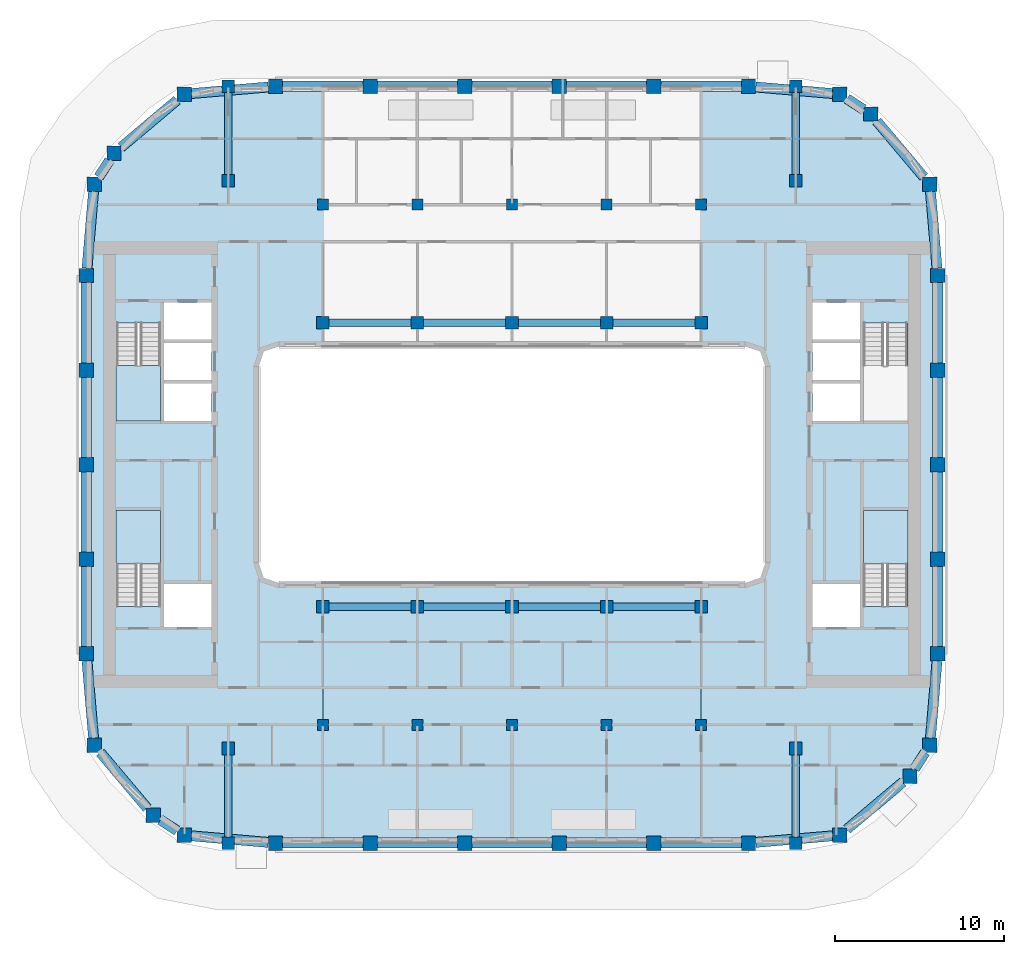
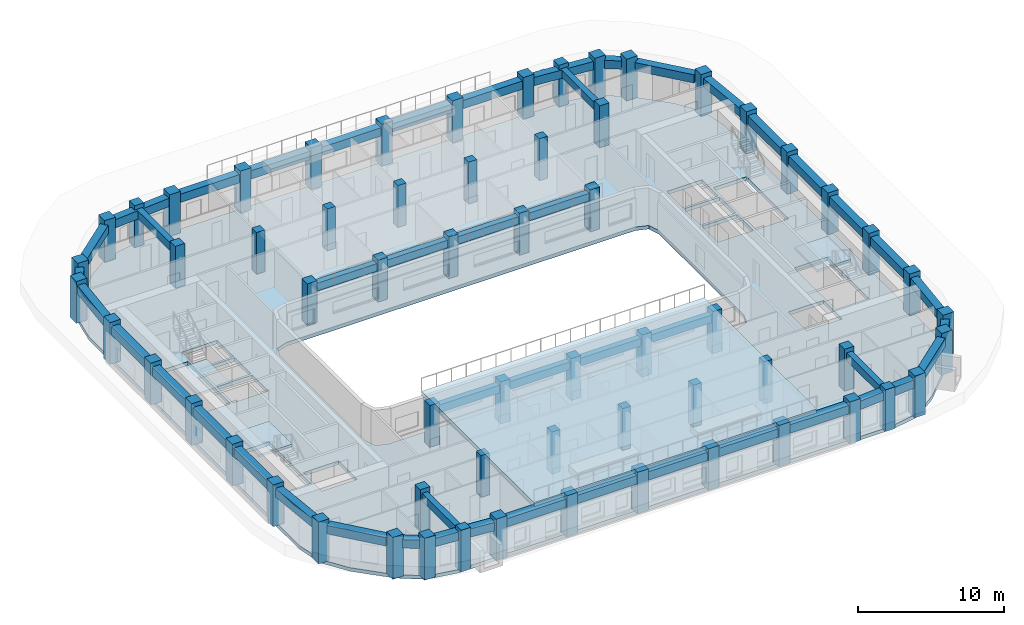
# One storey, part 1 of 16: 62 columns, 46 beams, 5 slabs, 3 elements without a shape of their own.
"""IFC4 building model written with IfcOpenShell, lengths in metres."""

from ifc_helpers import new_model, si_unit, direction, frame, origin, origin_2d, place, context, subcontext, project, spatial, polyline, rectangle, outline, extrude, material, layer, layer_set, material_profile, profile_set, type_object, element, aggregate, save


model = new_model("IFC4")

# Units and contexts
model_context = context("Model", 3, precision=1e-05, world=origin(), true_north=direction((0.0, 1.0)))
body_context = subcontext(model_context, "Body", "Model", "MODEL_VIEW")
ifc_project = project(units=[si_unit("LENGTHUNIT", "METRE"), si_unit("AREAUNIT", "SQUARE_METRE"), si_unit("VOLUMEUNIT", "CUBIC_METRE"), si_unit("PLANEANGLEUNIT", "RADIAN"), si_unit("MASSUNIT", "GRAM", prefix="KILO")], contexts=[model_context])

# Site, building, storey
site_placement = place(None, origin())
site = spatial("IfcSite", under=ifc_project, at=site_placement, CompositionType="ELEMENT")
building_placement = place(site_placement, origin())
building = spatial("IfcBuilding", under=site, at=building_placement, Name="Kiln Ring Residences", CompositionType="ELEMENT")
storey_placement = place(building_placement, frame((0.0, 0.0, 227.39990234375)))
storey = spatial("IfcBuildingStorey", under=building, at=storey_placement, Name="L59", CompositionType="ELEMENT", Elevation=227.39990234375)

# Columns
ifc_material_1 = material(Name="Concrete C70/85", Category="concrete")
ifc_material_profile_1 = material_profile(ifc_material_1, rectangle(XDim=0.64990234375, YDim=0.64990234375, at=origin_2d()), Name="RC650x650")
ifc_profile_set_1 = profile_set([ifc_material_profile_1], Name="Concrete C70/85")
column_type_1 = type_object("IfcColumnType", Name="Corridor column RC650x650 C70/85", PredefinedType="COLUMN", material=ifc_profile_set_1)
for number, where, z_axis, x_axis, name in (
    (1, (-11.199951171875, 15.39990234375, 0.0), (0.0, 0.0, 1.0), (1.0, 0.0, 0.0), "Corridor column L59 1"),
    (2, (-5.60009765625, 15.39990234375, 0.0), (0.0, 0.0, 1.0), (1.0, 0.0, 0.0), "Corridor column L59 2"),
    (3, (0.0, 15.39990234375, 0.0), (0.0, 0.0, 1.0), (1.0, 0.0, 0.0), "Corridor column L59 3"),
    (4, (5.60009765625, 15.39990234375, 0.0), (0.0, 0.0, 1.0), (1.0, 0.0, 0.0), "Corridor column L59 4"),
    (5, (11.199951171875, 15.39990234375, 0.0), (0.0, 0.0, 1.0), (1.0, 0.0, 0.0), "Corridor column L59 5"),
    (6, (-11.199951171875, -15.39990234375, 0.0), (0.0, 0.0, 1.0), (1.0, 0.0, 0.0), "Corridor column L59 6"),
    (7, (-5.60009765625, -15.39990234375, 0.0), (0.0, 0.0, 1.0), (1.0, 0.0, 0.0), "Corridor column L59 7"),
    (8, (0.0, -15.39990234375, 0.0), (0.0, 0.0, 1.0), (1.0, 0.0, 0.0), "Corridor column L59 8"),
    (9, (5.60009765625, -15.39990234375, 0.0), (0.0, 0.0, 1.0), (1.0, 0.0, 0.0), "Corridor column L59 9"),
    (10, (11.199951171875, -15.39990234375, 0.0), (0.0, 0.0, 1.0), (1.0, 0.0, 0.0), "Corridor column L59 10"),
):
    element("IfcColumn", number, at=place(storey_placement, frame(where, z_axis=z_axis, x_axis=x_axis)), inside=storey, type_object=column_type_1, Name=name, PredefinedType="COLUMN", context=body_context, shape_type="SweptSolid", body=[
        extrude(rectangle(XDim=0.64990234375, YDim=0.64990234375, at=origin_2d()), origin(), (0.0, 0.0, 1.0), 3.5),
    ])
ifc_material_2 = material(Name="Concrete C70/85", Category="concrete")
ifc_material_profile_2 = material_profile(ifc_material_2, rectangle(XDim=0.85009765625, YDim=0.85009765625, at=origin_2d()), Name="RC850x850")
ifc_profile_set_2 = profile_set([ifc_material_profile_2], Name="Concrete C70/85")
column_type_2 = type_object("IfcColumnType", Name="Perimeter column RC850x850 C70/85", PredefinedType="COLUMN", material=ifc_profile_set_2)
for number, where, z_axis, x_axis, name in (
    (11, (-19.40869140625, -21.93798828125, 0.0), (0.0, 0.0, 1.0), (1.0, 0.0, 0.0), "Perimeter column L59 1"),
    (12, (-14.0, -22.39990234375, 0.0), (0.0, 0.0, 1.0), (1.0, 0.0, 0.0), "Perimeter column L59 2"),
    (13, (-8.39990234375, -22.39990234375, 0.0), (0.0, 0.0, 1.0), (1.0, 0.0, 0.0), "Perimeter column L59 3"),
    (14, (-2.800048828125, -22.39990234375, 0.0), (0.0, 0.0, 1.0), (1.0, 0.0, 0.0), "Perimeter column L59 4"),
    (15, (2.800048828125, -22.39990234375, 0.0), (0.0, 0.0, 1.0), (1.0, 0.0, 0.0), "Perimeter column L59 5"),
    (16, (8.39990234375, -22.39990234375, 0.0), (0.0, 0.0, 1.0), (1.0, 0.0, 0.0), "Perimeter column L59 6"),
    (17, (14.0, -22.39990234375, 0.0), (0.0, 0.0, 1.0), (1.0, 0.0, 0.0), "Perimeter column L59 7"),
    (18, (19.40869140625, -21.93798828125, 0.0), (0.0, 0.0, 1.0), (1.0, 0.0, 0.0), "Perimeter column L59 8"),
    (19, (23.559814453125, -18.440185546875, 0.0), (0.0, 0.0, 1.0), (1.0, 0.0, 0.0), "Perimeter column L59 9"),
    (20, (24.738037109375, -16.608642578125, 0.0), (0.0, 0.0, 1.0), (1.0, 0.0, 0.0), "Perimeter column L59 10"),
    (21, (25.199951171875, -11.199951171875, 0.0), (0.0, 0.0, 1.0), (1.0, 0.0, 0.0), "Perimeter column L59 11"),
    (22, (25.199951171875, -5.60009765625, 0.0), (0.0, 0.0, 1.0), (1.0, 0.0, 0.0), "Perimeter column L59 12"),
    (23, (25.199951171875, 0.0, 0.0), (0.0, 0.0, 1.0), (1.0, 0.0, 0.0), "Perimeter column L59 13"),
    (24, (25.199951171875, 5.60009765625, 0.0), (0.0, 0.0, 1.0), (1.0, 0.0, 0.0), "Perimeter column L59 14"),
    (25, (25.199951171875, 11.199951171875, 0.0), (0.0, 0.0, 1.0), (1.0, 0.0, 0.0), "Perimeter column L59 15"),
    (26, (24.738037109375, 16.608642578125, 0.0), (0.0, 0.0, 1.0), (1.0, 0.0, 0.0), "Perimeter column L59 16"),
    (27, (21.240234375, 20.759765625, 0.0), (0.0, 0.0, 1.0), (1.0, 0.0, 0.0), "Perimeter column L59 17"),
    (28, (19.40869140625, 21.93798828125, 0.0), (0.0, 0.0, 1.0), (1.0, 0.0, 0.0), "Perimeter column L59 18"),
    (29, (14.0, 22.39990234375, 0.0), (0.0, 0.0, 1.0), (1.0, 0.0, 0.0), "Perimeter column L59 19"),
    (30, (8.39990234375, 22.39990234375, 0.0), (0.0, 0.0, 1.0), (1.0, 0.0, 0.0), "Perimeter column L59 20"),
    (31, (2.800048828125, 22.39990234375, 0.0), (0.0, 0.0, 1.0), (1.0, 0.0, 0.0), "Perimeter column L59 21"),
    (32, (-2.800048828125, 22.39990234375, 0.0), (0.0, 0.0, 1.0), (1.0, 0.0, 0.0), "Perimeter column L59 22"),
    (33, (-8.39990234375, 22.39990234375, 0.0), (0.0, 0.0, 1.0), (1.0, 0.0, 0.0), "Perimeter column L59 23"),
    (34, (-14.0, 22.39990234375, 0.0), (0.0, 0.0, 1.0), (1.0, 0.0, 0.0), "Perimeter column L59 24"),
    (35, (-19.40869140625, 21.93798828125, 0.0), (0.0, 0.0, 1.0), (1.0, 0.0, 0.0), "Perimeter column L59 25"),
    (36, (-23.559814453125, 18.440185546875, 0.0), (0.0, 0.0, 1.0), (1.0, 0.0, 0.0), "Perimeter column L59 26"),
    (37, (-24.738037109375, 16.608642578125, 0.0), (0.0, 0.0, 1.0), (1.0, 0.0, 0.0), "Perimeter column L59 27"),
    (38, (-25.199951171875, 11.199951171875, 0.0), (0.0, 0.0, 1.0), (1.0, 0.0, 0.0), "Perimeter column L59 28"),
    (39, (-25.199951171875, 5.60009765625, 0.0), (0.0, 0.0, 1.0), (1.0, 0.0, 0.0), "Perimeter column L59 29"),
    (40, (-25.199951171875, 0.0, 0.0), (0.0, 0.0, 1.0), (1.0, 0.0, 0.0), "Perimeter column L59 30"),
    (41, (-25.199951171875, -5.60009765625, 0.0), (0.0, 0.0, 1.0), (1.0, 0.0, 0.0), "Perimeter column L59 31"),
    (42, (-25.199951171875, -11.199951171875, 0.0), (0.0, 0.0, 1.0), (1.0, 0.0, 0.0), "Perimeter column L59 32"),
    (43, (-24.738037109375, -16.608642578125, 0.0), (0.0, 0.0, 1.0), (1.0, 0.0, 0.0), "Perimeter column L59 33"),
    (44, (-21.240234375, -20.759765625, 0.0), (0.0, 0.0, 1.0), (1.0, 0.0, 0.0), "Perimeter column L59 34"),
):
    element("IfcColumn", number, at=place(storey_placement, frame(where, z_axis=z_axis, x_axis=x_axis)), inside=storey, type_object=column_type_2, Name=name, PredefinedType="COLUMN", context=body_context, shape_type="SweptSolid", body=[
        extrude(rectangle(XDim=0.85009765625, YDim=0.85009765625, at=origin_2d()), origin(), (0.0, 0.0, 1.0), 3.5),
    ])
ifc_material_3 = material(Name="Concrete C70/85", Category="concrete")
ifc_material_profile_3 = material_profile(ifc_material_3, rectangle(XDim=0.75, YDim=0.75, at=origin_2d()), Name="RC750x750")
ifc_profile_set_3 = profile_set([ifc_material_profile_3], Name="Concrete C70/85")
column_type_3 = type_object("IfcColumnType", Name="Ring column RC750x750 C70/85", PredefinedType="COLUMN", material=ifc_profile_set_3)
for number, where, z_axis, x_axis, name in (
    (45, (-16.800048828125, -22.39990234375, 0.0), (0.0, 0.0, 1.0), (1.0, 0.0, 0.0), "Ring column L59 1"),
    (46, (-16.800048828125, -16.800048828125, 0.0), (0.0, 0.0, 1.0), (1.0, 0.0, 0.0), "Ring column L59 2"),
    (47, (-16.800048828125, 16.800048828125, 0.0), (0.0, 0.0, 1.0), (1.0, 0.0, 0.0), "Ring column L59 3"),
    (48, (-16.800048828125, 22.39990234375, 0.0), (0.0, 0.0, 1.0), (1.0, 0.0, 0.0), "Ring column L59 4"),
    (49, (-11.199951171875, -8.39990234375, 0.0), (0.0, 0.0, 1.0), (1.0, 0.0, 0.0), "Ring column L59 5"),
    (50, (-11.199951171875, 8.39990234375, 0.0), (0.0, 0.0, 1.0), (1.0, 0.0, 0.0), "Ring column L59 6"),
    (51, (-5.60009765625, -8.39990234375, 0.0), (0.0, 0.0, 1.0), (1.0, 0.0, 0.0), "Ring column L59 7"),
    (52, (-5.60009765625, 8.39990234375, 0.0), (0.0, 0.0, 1.0), (1.0, 0.0, 0.0), "Ring column L59 8"),
    (53, (0.0, -8.39990234375, 0.0), (0.0, 0.0, 1.0), (1.0, 0.0, 0.0), "Ring column L59 9"),
    (54, (0.0, 8.39990234375, 0.0), (0.0, 0.0, 1.0), (1.0, 0.0, 0.0), "Ring column L59 10"),
    (55, (5.60009765625, -8.39990234375, 0.0), (0.0, 0.0, 1.0), (1.0, 0.0, 0.0), "Ring column L59 11"),
    (56, (5.60009765625, 8.39990234375, 0.0), (0.0, 0.0, 1.0), (1.0, 0.0, 0.0), "Ring column L59 12"),
    (57, (11.199951171875, -8.39990234375, 0.0), (0.0, 0.0, 1.0), (1.0, 0.0, 0.0), "Ring column L59 13"),
    (58, (11.199951171875, 8.39990234375, 0.0), (0.0, 0.0, 1.0), (1.0, 0.0, 0.0), "Ring column L59 14"),
    (59, (16.800048828125, -22.39990234375, 0.0), (0.0, 0.0, 1.0), (1.0, 0.0, 0.0), "Ring column L59 15"),
    (60, (16.800048828125, -16.800048828125, 0.0), (0.0, 0.0, 1.0), (1.0, 0.0, 0.0), "Ring column L59 16"),
    (61, (16.800048828125, 16.800048828125, 0.0), (0.0, 0.0, 1.0), (1.0, 0.0, 0.0), "Ring column L59 17"),
    (62, (16.800048828125, 22.39990234375, 0.0), (0.0, 0.0, 1.0), (1.0, 0.0, 0.0), "Ring column L59 18"),
):
    element("IfcColumn", number, at=place(storey_placement, frame(where, z_axis=z_axis, x_axis=x_axis)), inside=storey, type_object=column_type_3, Name=name, PredefinedType="COLUMN", context=body_context, shape_type="SweptSolid", body=[
        extrude(rectangle(XDim=0.75, YDim=0.75, at=origin_2d()), origin(), (0.0, 0.0, 1.0), 3.5),
    ])

# Beams
ifc_material_4 = material(Name="Concrete C50/60", Category="concrete")
ifc_material_profile_4 = material_profile(ifc_material_4, rectangle(XDim=0.449951171875, YDim=0.64990234375, at=origin_2d()), Name="RC450x650")
ifc_profile_set_4 = profile_set([ifc_material_profile_4], Name="Concrete C50/60")
beam_type_1 = type_object("IfcBeamType", Name="Ring beam RC450x650 C50/60", PredefinedType="BEAM", material=ifc_profile_set_4)
beam_1_placement = place(storey_placement, frame((-10.824951171875, -8.39990234375, 2.8251953125), z_axis=(1.0, 0.0, 0.0), x_axis=(0.0, 1.0, 0.0)))
element("IfcBeam", 63, at=beam_1_placement, inside=storey, type_object=beam_type_1, Name="Ring beam L59 1", PredefinedType="BEAM", context=body_context, shape_type="SweptSolid", body=[
    extrude(rectangle(XDim=0.449951171875, YDim=0.64990234375, at=origin_2d()), origin(), (0.0, 0.0, 1.0), 4.849853515625),
])
for number, where, z_axis, x_axis, name in (
    (64, (-5.22509765625, -8.39990234375, 2.8251953125), (1.0, 0.0, 0.0), (0.0, 1.0, 0.0), "Ring beam L59 2"),
    (65, (0.375, -8.39990234375, 2.8251953125), (1.0, 0.0, 0.0), (0.0, 1.0, 0.0), "Ring beam L59 3"),
):
    element("IfcBeam", number, at=place(storey_placement, frame(where, z_axis=z_axis, x_axis=x_axis)), inside=storey, type_object=beam_type_1, Name=name, PredefinedType="BEAM", context=body_context, shape_type="SweptSolid", body=[
        extrude(rectangle(XDim=0.449951171875, YDim=0.64990234375, at=origin_2d()), origin(), (0.0, 0.0, 1.0), 4.85009765625),
    ])
for number, where, z_axis, x_axis, name in (
    (66, (5.97509765625, -8.39990234375, 2.8251953125), (1.0, 0.0, 0.0), (0.0, 1.0, 0.0), "Ring beam L59 4"),
    (67, (-10.824951171875, 8.39990234375, 2.8251953125), (1.0, 0.0, 0.0), (0.0, 1.0, 0.0), "Ring beam L59 5"),
):
    element("IfcBeam", number, at=place(storey_placement, frame(where, z_axis=z_axis, x_axis=x_axis)), inside=storey, type_object=beam_type_1, Name=name, PredefinedType="BEAM", context=body_context, shape_type="SweptSolid", body=[
        extrude(rectangle(XDim=0.449951171875, YDim=0.64990234375, at=origin_2d()), origin(), (0.0, 0.0, 1.0), 4.849853515625),
    ])
for number, where, z_axis, x_axis, name in (
    (68, (-5.22509765625, 8.39990234375, 2.8251953125), (1.0, 0.0, 0.0), (0.0, 1.0, 0.0), "Ring beam L59 6"),
    (69, (0.375, 8.39990234375, 2.8251953125), (1.0, 0.0, 0.0), (0.0, 1.0, 0.0), "Ring beam L59 7"),
):
    element("IfcBeam", number, at=place(storey_placement, frame(where, z_axis=z_axis, x_axis=x_axis)), inside=storey, type_object=beam_type_1, Name=name, PredefinedType="BEAM", context=body_context, shape_type="SweptSolid", body=[
        extrude(rectangle(XDim=0.449951171875, YDim=0.64990234375, at=origin_2d()), origin(), (0.0, 0.0, 1.0), 4.85009765625),
    ])
for number, where, z_axis, x_axis, name in (
    (70, (5.97509765625, 8.39990234375, 2.8251953125), (1.0, 0.0, 0.0), (0.0, 1.0, 0.0), "Ring beam L59 8"),
    (71, (-16.800048828125, -17.175048828125, 2.8251953125), (0.0, -1.0, 0.0), (1.0, 0.0, 0.0), "Ring beam L59 9"),
    (72, (-16.800048828125, 17.175048828125, 2.8251953125), (0.0, 1.0, 0.0), (-1.0, 0.0, 0.0), "Ring beam L59 10"),
    (73, (16.800048828125, -17.175048828125, 2.8251953125), (0.0, -1.0, 0.0), (1.0, 0.0, 0.0), "Ring beam L59 11"),
    (74, (16.800048828125, 17.175048828125, 2.8251953125), (0.0, 1.0, 0.0), (-1.0, 0.0, 0.0), "Ring beam L59 12"),
):
    element("IfcBeam", number, at=place(storey_placement, frame(where, z_axis=z_axis, x_axis=x_axis)), inside=storey, type_object=beam_type_1, Name=name, PredefinedType="BEAM", context=body_context, shape_type="SweptSolid", body=[
        extrude(rectangle(XDim=0.449951171875, YDim=0.64990234375, at=origin_2d()), origin(), (0.0, 0.0, 1.0), 4.849853515625),
    ])
ifc_material_5 = material(Name="Concrete C50/60", Category="concrete")
ifc_material_profile_5 = material_profile(ifc_material_5, rectangle(XDim=0.60009765625, YDim=0.699951171875, at=origin_2d()), Name="RC600x700")
ifc_profile_set_5 = profile_set([ifc_material_profile_5], Name="Concrete C50/60")
beam_type_2 = type_object("IfcBeamType", Name="Spandrel beam RC600x700 C50/60", PredefinedType="SPANDREL", material=ifc_profile_set_5)
beam_2_placement = place(storey_placement, frame((-18.983642578125, -21.974365234375, 2.800048828125), z_axis=(0.996371385312, -0.085112058675, 0.0), x_axis=(0.085112058675, 0.996371385312, 0.0)))
element("IfcBeam", 75, at=beam_2_placement, inside=storey, type_object=beam_type_2, Name="Spandrel beam L59 1", PredefinedType="SPANDREL", context=body_context, shape_type="SweptSolid", body=[
    extrude(rectangle(XDim=0.60009765625, YDim=0.699951171875, at=origin_2d()), origin(), (0.0, 0.0, 1.0), 4.5751953125),
])
for number, where, z_axis, x_axis, name in (
    (76, (-13.574951171875, -22.39990234375, 2.800048828125), (1.0, 0.0, 0.0), (0.0, 1.0, 0.0), "Spandrel beam L59 2"),
    (77, (-7.97509765625, -22.39990234375, 2.800048828125), (1.0, 0.0, 0.0), (0.0, 1.0, 0.0), "Spandrel beam L59 3"),
    (78, (-2.375, -22.39990234375, 2.800048828125), (1.0, 0.0, 0.0), (0.0, 1.0, 0.0), "Spandrel beam L59 4"),
    (79, (3.22509765625, -22.39990234375, 2.800048828125), (1.0, 0.0, 0.0), (0.0, 1.0, 0.0), "Spandrel beam L59 5"),
    (80, (8.824951171875, -22.39990234375, 2.800048828125), (1.0, 0.0, 0.0), (0.0, 1.0, 0.0), "Spandrel beam L59 6"),
):
    element("IfcBeam", number, at=place(storey_placement, frame(where, z_axis=z_axis, x_axis=x_axis)), inside=storey, type_object=beam_type_2, Name=name, PredefinedType="SPANDREL", context=body_context, shape_type="SweptSolid", body=[
        extrude(rectangle(XDim=0.60009765625, YDim=0.699951171875, at=origin_2d()), origin(), (0.0, 0.0, 1.0), 4.75),
    ])
beam_3_placement = place(storey_placement, frame((14.425048828125, -22.36376953125, 2.800048828125), z_axis=(0.996371385312, 0.085112058675, 0.0), x_axis=(-0.085112058675, 0.996371385312, 0.0)))
element("IfcBeam", 81, at=beam_3_placement, inside=storey, type_object=beam_type_2, Name="Spandrel beam L59 7", PredefinedType="SPANDREL", context=body_context, shape_type="SweptSolid", body=[
    extrude(rectangle(XDim=0.60009765625, YDim=0.699951171875, at=origin_2d()), origin(), (0.0, 0.0, 1.0), 4.5751953125),
])
beam_4_placement = place(storey_placement, frame((19.833740234375, -21.580078125, 2.800048828125), z_axis=(0.764691163306, 0.64439694658, 0.0), x_axis=(-0.64439694658, 0.764691163306, 0.0)))
element("IfcBeam", 82, at=beam_4_placement, inside=storey, type_object=beam_type_2, Name="Spandrel beam L59 8", PredefinedType="SPANDREL", context=body_context, shape_type="SweptSolid", body=[
    extrude(rectangle(XDim=0.60009765625, YDim=0.699951171875, at=origin_2d()), origin(), (0.0, 0.0, 1.0), 4.31689453125),
])
beam_5_placement = place(storey_placement, frame((23.833251953125, -18.01513671875, 2.800048828125), z_axis=(0.541011334995, 0.84101530034, 0.0), x_axis=(-0.84101530034, 0.541011334995, 0.0)))
element("IfcBeam", 83, at=beam_5_placement, inside=storey, type_object=beam_type_2, Name="Spandrel beam L59 9", PredefinedType="SPANDREL", context=body_context, shape_type="SweptSolid", body=[
    extrude(rectangle(XDim=0.60009765625, YDim=0.699951171875, at=origin_2d()), origin(), (0.0, 0.0, 1.0), 1.1669921875),
])
beam_6_placement = place(storey_placement, frame((24.7744140625, -16.18359375, 2.800048828125), z_axis=(0.085112058675, 0.996371385312, 0.0), x_axis=(-0.996371385312, 0.085112058675, 0.0)))
element("IfcBeam", 84, at=beam_6_placement, inside=storey, type_object=beam_type_2, Name="Spandrel beam L59 10", PredefinedType="SPANDREL", context=body_context, shape_type="SweptSolid", body=[
    extrude(rectangle(XDim=0.60009765625, YDim=0.699951171875, at=origin_2d()), origin(), (0.0, 0.0, 1.0), 4.5751953125),
])
for number, where, z_axis, x_axis, name in (
    (85, (25.199951171875, -10.77490234375, 2.800048828125), (0.0, 1.0, 0.0), (-1.0, 0.0, 0.0), "Spandrel beam L59 11"),
    (86, (25.199951171875, -5.175048828125, 2.800048828125), (0.0, 1.0, 0.0), (-1.0, 0.0, 0.0), "Spandrel beam L59 12"),
    (87, (25.199951171875, 0.425048828125, 2.800048828125), (0.0, 1.0, 0.0), (-1.0, 0.0, 0.0), "Spandrel beam L59 13"),
    (88, (25.199951171875, 6.02490234375, 2.800048828125), (0.0, 1.0, 0.0), (-1.0, 0.0, 0.0), "Spandrel beam L59 14"),
):
    element("IfcBeam", number, at=place(storey_placement, frame(where, z_axis=z_axis, x_axis=x_axis)), inside=storey, type_object=beam_type_2, Name=name, PredefinedType="SPANDREL", context=body_context, shape_type="SweptSolid", body=[
        extrude(rectangle(XDim=0.60009765625, YDim=0.699951171875, at=origin_2d()), origin(), (0.0, 0.0, 1.0), 4.75),
    ])
beam_7_placement = place(storey_placement, frame((25.163818359375, 11.625, 2.800048828125), z_axis=(-0.085112058675, 0.996371385312, 0.0), x_axis=(-0.996371385312, -0.085112058675, 0.0)))
element("IfcBeam", 89, at=beam_7_placement, inside=storey, type_object=beam_type_2, Name="Spandrel beam L59 15", PredefinedType="SPANDREL", context=body_context, shape_type="SweptSolid", body=[
    extrude(rectangle(XDim=0.60009765625, YDim=0.699951171875, at=origin_2d()), origin(), (0.0, 0.0, 1.0), 4.5751953125),
])
beam_8_placement = place(storey_placement, frame((24.3798828125, 17.03369140625, 2.800048828125), z_axis=(-0.644363873614, 0.764719032313, 0.0), x_axis=(-0.764719032313, -0.644363873614, 0.0)))
element("IfcBeam", 90, at=beam_8_placement, inside=storey, type_object=beam_type_2, Name="Spandrel beam L59 16", PredefinedType="SPANDREL", context=body_context, shape_type="SweptSolid", body=[
    extrude(rectangle(XDim=0.60009765625, YDim=0.699951171875, at=origin_2d()), origin(), (0.0, 0.0, 1.0), 4.316650390625),
])
beam_9_placement = place(storey_placement, frame((20.815185546875, 21.033203125, 2.800048828125), z_axis=(-0.840920108806, 0.54115928395, 0.0), x_axis=(-0.54115928395, -0.840920108806, 0.0)))
element("IfcBeam", 91, at=beam_9_placement, inside=storey, type_object=beam_type_2, Name="Spandrel beam L59 17", PredefinedType="SPANDREL", context=body_context, shape_type="SweptSolid", body=[
    extrude(rectangle(XDim=0.60009765625, YDim=0.699951171875, at=origin_2d()), origin(), (0.0, 0.0, 1.0), 1.1669921875),
])
beam_10_placement = place(storey_placement, frame((18.983642578125, 21.974365234375, 2.800048828125), z_axis=(-0.996371385312, 0.085112058675, 0.0), x_axis=(-0.085112058675, -0.996371385312, 0.0)))
element("IfcBeam", 92, at=beam_10_placement, inside=storey, type_object=beam_type_2, Name="Spandrel beam L59 18", PredefinedType="SPANDREL", context=body_context, shape_type="SweptSolid", body=[
    extrude(rectangle(XDim=0.60009765625, YDim=0.699951171875, at=origin_2d()), origin(), (0.0, 0.0, 1.0), 4.5751953125),
])
for number, where, z_axis, x_axis, name in (
    (93, (13.574951171875, 22.39990234375, 2.800048828125), (-1.0, 0.0, 0.0), (0.0, -1.0, 0.0), "Spandrel beam L59 19"),
    (94, (7.97509765625, 22.39990234375, 2.800048828125), (-1.0, 0.0, 0.0), (0.0, -1.0, 0.0), "Spandrel beam L59 20"),
    (95, (2.375, 22.39990234375, 2.800048828125), (-1.0, 0.0, 0.0), (0.0, -1.0, 0.0), "Spandrel beam L59 21"),
    (96, (-3.22509765625, 22.39990234375, 2.800048828125), (-1.0, 0.0, 0.0), (0.0, -1.0, 0.0), "Spandrel beam L59 22"),
    (97, (-8.824951171875, 22.39990234375, 2.800048828125), (-1.0, 0.0, 0.0), (0.0, -1.0, 0.0), "Spandrel beam L59 23"),
):
    element("IfcBeam", number, at=place(storey_placement, frame(where, z_axis=z_axis, x_axis=x_axis)), inside=storey, type_object=beam_type_2, Name=name, PredefinedType="SPANDREL", context=body_context, shape_type="SweptSolid", body=[
        extrude(rectangle(XDim=0.60009765625, YDim=0.699951171875, at=origin_2d()), origin(), (0.0, 0.0, 1.0), 4.75),
    ])
beam_11_placement = place(storey_placement, frame((-14.425048828125, 22.36376953125, 2.800048828125), z_axis=(-0.996371385312, -0.085112058675, 0.0), x_axis=(0.085112058675, -0.996371385312, 0.0)))
element("IfcBeam", 98, at=beam_11_placement, inside=storey, type_object=beam_type_2, Name="Spandrel beam L59 24", PredefinedType="SPANDREL", context=body_context, shape_type="SweptSolid", body=[
    extrude(rectangle(XDim=0.60009765625, YDim=0.699951171875, at=origin_2d()), origin(), (0.0, 0.0, 1.0), 4.5751953125),
])
beam_12_placement = place(storey_placement, frame((-19.833740234375, 21.580078125, 2.800048828125), z_axis=(-0.764691163306, -0.64439694658, 0.0), x_axis=(0.64439694658, -0.764691163306, 0.0)))
element("IfcBeam", 99, at=beam_12_placement, inside=storey, type_object=beam_type_2, Name="Spandrel beam L59 25", PredefinedType="SPANDREL", context=body_context, shape_type="SweptSolid", body=[
    extrude(rectangle(XDim=0.60009765625, YDim=0.699951171875, at=origin_2d()), origin(), (0.0, 0.0, 1.0), 4.31689453125),
])
beam_13_placement = place(storey_placement, frame((-23.833251953125, 18.01513671875, 2.800048828125), z_axis=(-0.541011334995, -0.84101530034, 0.0), x_axis=(0.84101530034, -0.541011334995, 0.0)))
element("IfcBeam", 100, at=beam_13_placement, inside=storey, type_object=beam_type_2, Name="Spandrel beam L59 26", PredefinedType="SPANDREL", context=body_context, shape_type="SweptSolid", body=[
    extrude(rectangle(XDim=0.60009765625, YDim=0.699951171875, at=origin_2d()), origin(), (0.0, 0.0, 1.0), 1.1669921875),
])
beam_14_placement = place(storey_placement, frame((-24.7744140625, 16.18359375, 2.800048828125), z_axis=(-0.085112058675, -0.996371385312, 0.0), x_axis=(0.996371385312, -0.085112058675, 0.0)))
element("IfcBeam", 101, at=beam_14_placement, inside=storey, type_object=beam_type_2, Name="Spandrel beam L59 27", PredefinedType="SPANDREL", context=body_context, shape_type="SweptSolid", body=[
    extrude(rectangle(XDim=0.60009765625, YDim=0.699951171875, at=origin_2d()), origin(), (0.0, 0.0, 1.0), 4.5751953125),
])
for number, where, z_axis, x_axis, name in (
    (102, (-25.199951171875, 10.77490234375, 2.800048828125), (0.0, -1.0, 0.0), (1.0, 0.0, 0.0), "Spandrel beam L59 28"),
    (103, (-25.199951171875, 5.175048828125, 2.800048828125), (0.0, -1.0, 0.0), (1.0, 0.0, 0.0), "Spandrel beam L59 29"),
    (104, (-25.199951171875, -0.425048828125, 2.800048828125), (0.0, -1.0, 0.0), (1.0, 0.0, 0.0), "Spandrel beam L59 30"),
    (105, (-25.199951171875, -6.02490234375, 2.800048828125), (0.0, -1.0, 0.0), (1.0, 0.0, 0.0), "Spandrel beam L59 31"),
):
    element("IfcBeam", number, at=place(storey_placement, frame(where, z_axis=z_axis, x_axis=x_axis)), inside=storey, type_object=beam_type_2, Name=name, PredefinedType="SPANDREL", context=body_context, shape_type="SweptSolid", body=[
        extrude(rectangle(XDim=0.60009765625, YDim=0.699951171875, at=origin_2d()), origin(), (0.0, 0.0, 1.0), 4.75),
    ])
beam_15_placement = place(storey_placement, frame((-25.163818359375, -11.625, 2.800048828125), z_axis=(0.085112058675, -0.996371385312, 0.0), x_axis=(0.996371385312, 0.085112058675, 0.0)))
element("IfcBeam", 106, at=beam_15_placement, inside=storey, type_object=beam_type_2, Name="Spandrel beam L59 32", PredefinedType="SPANDREL", context=body_context, shape_type="SweptSolid", body=[
    extrude(rectangle(XDim=0.60009765625, YDim=0.699951171875, at=origin_2d()), origin(), (0.0, 0.0, 1.0), 4.5751953125),
])
beam_16_placement = place(storey_placement, frame((-24.3798828125, -17.03369140625, 2.800048828125), z_axis=(0.644363873614, -0.764719032313, 0.0), x_axis=(0.764719032313, 0.644363873614, 0.0)))
element("IfcBeam", 107, at=beam_16_placement, inside=storey, type_object=beam_type_2, Name="Spandrel beam L59 33", PredefinedType="SPANDREL", context=body_context, shape_type="SweptSolid", body=[
    extrude(rectangle(XDim=0.60009765625, YDim=0.699951171875, at=origin_2d()), origin(), (0.0, 0.0, 1.0), 4.316650390625),
])
beam_17_placement = place(storey_placement, frame((-20.815185546875, -21.033203125, 2.800048828125), z_axis=(0.840920108806, -0.54115928395, 0.0), x_axis=(0.54115928395, 0.840920108806, 0.0)))
element("IfcBeam", 108, at=beam_17_placement, inside=storey, type_object=beam_type_2, Name="Spandrel beam L59 34", PredefinedType="SPANDREL", context=body_context, shape_type="SweptSolid", body=[
    extrude(rectangle(XDim=0.60009765625, YDim=0.699951171875, at=origin_2d()), origin(), (0.0, 0.0, 1.0), 1.1669921875),
])

# Stair, slab
ifc_material_6 = material(Name="Concrete C40/50", Category="concrete")
stair_type = type_object("IfcStairType", Name="CORE-STAIR", PredefinedType="HALF_TURN_STAIR", material=ifc_material_6)
placement_1 = place(storey_placement, origin())
stair_1 = element("IfcStair", 109, at=placement_1, inside=storey, type_object=stair_type, Name="L59 stair W-STN", PredefinedType="HALF_TURN_STAIR")
ifc_material_7 = material(Name="Concrete C40/50", Category="concrete")
ifc_layer_1 = layer(ifc_material_7, 0.199951171875)
ifc_layer_set_1 = layer_set([ifc_layer_1], Name="CORE-STAIR-LANDING")
slab_type_1 = type_object("IfcSlabType", Name="CORE-STAIR-LANDING", PredefinedType="LANDING", material=ifc_layer_set_1)
placement_2 = place(storey_placement, frame((0.0, 0.0, 1.550048828125)))
slab_1 = element("IfcSlab", 110, at=placement_2, type_object=slab_type_1, Name="W-STN landing 1", PredefinedType="LANDING", context=body_context, shape_type="SweptSolid", body=[
    extrude(outline(polyline([(-23.449951171875, 5.8798828125), (-23.449951171875, 2.60009765625), (-20.800048828125, 2.60009765625), (-20.800048828125, 5.8798828125), (-23.449951171875, 5.8798828125)])), origin(), (0.0, 0.0, 1.0), 0.199951171875),
])
aggregate(stair_1, [slab_1])

stair_2 = element("IfcStair", 111, at=placement_1, inside=storey, type_object=stair_type, Name="L59 stair W-STS", PredefinedType="HALF_TURN_STAIR")
slab_2 = element("IfcSlab", 112, at=placement_2, type_object=slab_type_1, Name="W-STS landing 1", PredefinedType="LANDING", context=body_context, shape_type="SweptSolid", body=[
    extrude(outline(polyline([(-20.800048828125, -5.8798828125), (-20.800048828125, -2.699951171875), (-23.449951171875, -2.699951171875), (-23.449951171875, -5.8798828125), (-20.800048828125, -5.8798828125)])), origin(), (0.0, 0.0, 1.0), 0.199951171875),
])
aggregate(stair_2, [slab_2])

stair_3 = element("IfcStair", 113, at=placement_1, inside=storey, type_object=stair_type, Name="L59 stair E-STS", PredefinedType="HALF_TURN_STAIR")
slab_3 = element("IfcSlab", 114, at=placement_2, type_object=slab_type_1, Name="E-STS landing 1", PredefinedType="LANDING", context=body_context, shape_type="SweptSolid", body=[
    extrude(outline(polyline([(23.449951171875, -5.8798828125), (23.449951171875, -2.699951171875), (20.800048828125, -2.699951171875), (20.800048828125, -5.8798828125), (23.449951171875, -5.8798828125)])), origin(), (0.0, 0.0, 1.0), 0.199951171875),
])
aggregate(stair_3, [slab_3])

# Slabs
ifc_material_8 = material(Name="Concrete C40/50", Category="concrete")
ifc_layer_2 = layer(ifc_material_8, 0.300048828125)
ifc_layer_set_2 = layer_set([ifc_layer_2], Name="Floor slab 300")
slab_type_2 = type_object("IfcSlabType", Name="Floor slab 300", PredefinedType="FLOOR", material=ifc_layer_set_2)
slab_4_placement = place(storey_placement, frame((0.0, 0.0, -0.2998046875)))
element("IfcSlab", 115, at=slab_4_placement, inside=storey, type_object=slab_type_2, Name="Floor slab L59 1", PredefinedType="FLOOR", context=body_context, shape_type="SweptSolid", body=[
    extrude(outline(polyline([(-23.5029296875, -18.4970703125), (-21.297119140625, -20.702880859375), (-19.42431640625, -21.975830078125), (-17.199951171875, -22.39990234375), (17.199951171875, -22.39990234375), (19.42431640625, -21.975830078125), (21.297119140625, -20.702880859375), (23.5029296875, -18.4970703125), (24.775634765625, -16.624267578125), (25.199951171875, -14.39990234375), (25.199951171875, 14.39990234375), (24.775634765625, 16.624267578125), (23.5029296875, 18.4970703125), (21.297119140625, 20.702880859375), (19.42431640625, 21.975830078125), (17.199951171875, 22.39990234375), (-17.199951171875, 22.39990234375), (-19.42431640625, 21.975830078125), (-21.297119140625, 20.702880859375), (-23.5029296875, 18.4970703125), (-24.775634765625, 16.624267578125), (-25.199951171875, 14.39990234375), (-25.199951171875, -14.39990234375), (-24.775634765625, -16.624267578125), (-23.5029296875, -18.4970703125)]), holes=[polyline([(-14.699951171875, -6.699951171875), (-15.0, -5.800048828125), (-15.0, 5.800048828125), (-14.699951171875, 6.699951171875), (-13.800048828125, 7.0), (13.800048828125, 7.0), (14.699951171875, 6.699951171875), (15.0, 5.800048828125), (15.0, -5.800048828125), (14.699951171875, -6.699951171875), (13.800048828125, -7.0), (-13.800048828125, -7.0), (-14.699951171875, -6.699951171875)]), polyline([(20.800048828125, -8.39794921875), (20.800048828125, -2.699951171875), (23.39990234375, -2.699951171875), (23.39990234375, -8.39794921875), (20.800048828125, -8.39794921875)]), polyline([(23.39990234375, 2.60009765625), (20.800048828125, 2.60009765625), (20.800048828125, 8.39794921875), (23.39990234375, 8.39794921875), (23.39990234375, 2.60009765625)]), polyline([(17.800048828125, 2.60009765625), (17.800048828125, 4.800048828125), (20.60009765625, 4.800048828125), (20.60009765625, 2.60009765625), (17.800048828125, 2.60009765625)]), polyline([(17.800048828125, 5.0), (17.800048828125, 7.199951171875), (20.60009765625, 7.199951171875), (20.60009765625, 5.0), (17.800048828125, 5.0)]), polyline([(17.800048828125, 7.39990234375), (17.800048828125, 9.60009765625), (20.60009765625, 9.60009765625), (20.60009765625, 7.39990234375), (17.800048828125, 7.39990234375)]), polyline([(20.60009765625, -9.60009765625), (17.800048828125, -9.60009765625), (17.800048828125, -7.050048828125), (20.60009765625, -7.050048828125), (20.60009765625, -9.60009765625)]), polyline([(-17.800048828125, -7.050048828125), (-17.800048828125, -9.60009765625), (-20.60009765625, -9.60009765625), (-20.60009765625, -7.050048828125), (-17.800048828125, -7.050048828125)]), polyline([(-17.800048828125, 2.60009765625), (-20.60009765625, 2.60009765625), (-20.60009765625, 4.800048828125), (-17.800048828125, 4.800048828125), (-17.800048828125, 2.60009765625)]), polyline([(-17.800048828125, 5.0), (-20.60009765625, 5.0), (-20.60009765625, 7.199951171875), (-17.800048828125, 7.199951171875), (-17.800048828125, 5.0)]), polyline([(-17.800048828125, 7.39990234375), (-20.60009765625, 7.39990234375), (-20.60009765625, 9.60009765625), (-17.800048828125, 9.60009765625), (-17.800048828125, 7.39990234375)]), polyline([(-20.800048828125, -8.39794921875), (-23.39990234375, -8.39794921875), (-23.39990234375, -2.699951171875), (-20.800048828125, -2.699951171875), (-20.800048828125, -8.39794921875)]), polyline([(-20.800048828125, 8.39794921875), (-20.800048828125, 2.60009765625), (-23.39990234375, 2.60009765625), (-23.39990234375, 8.39794921875), (-20.800048828125, 8.39794921875)])]), origin(), (0.0, 0.0, 1.0), 0.2998046875),
])
ifc_material_9 = material(Name="Concrete C40/50", Category="concrete")
ifc_layer_3 = layer(ifc_material_9, 0.35009765625)
ifc_layer_set_3 = layer_set([ifc_layer_3], Name="Roof slab 350")
slab_type_3 = type_object("IfcSlabType", Name="Roof slab 350", PredefinedType="ROOF", material=ifc_layer_set_3)
slab_5_placement = place(storey_placement, frame((0.0, 0.0, 3.150146484375)))
element("IfcSlab", 116, at=slab_5_placement, inside=storey, type_object=slab_type_3, Name="Roof slab L59 1", PredefinedType="ROOF", context=body_context, shape_type="SweptSolid", body=[
    extrude(outline(polyline([(11.199462890625, -22.39990234375), (11.199462890625, -7.0), (-11.199462890625, -7.0), (-11.199462890625, -22.39990234375), (11.199462890625, -22.39990234375)])), origin(), (0.0, 0.0, 1.0), 0.349853515625),
])

save(model, "model.ifc")
